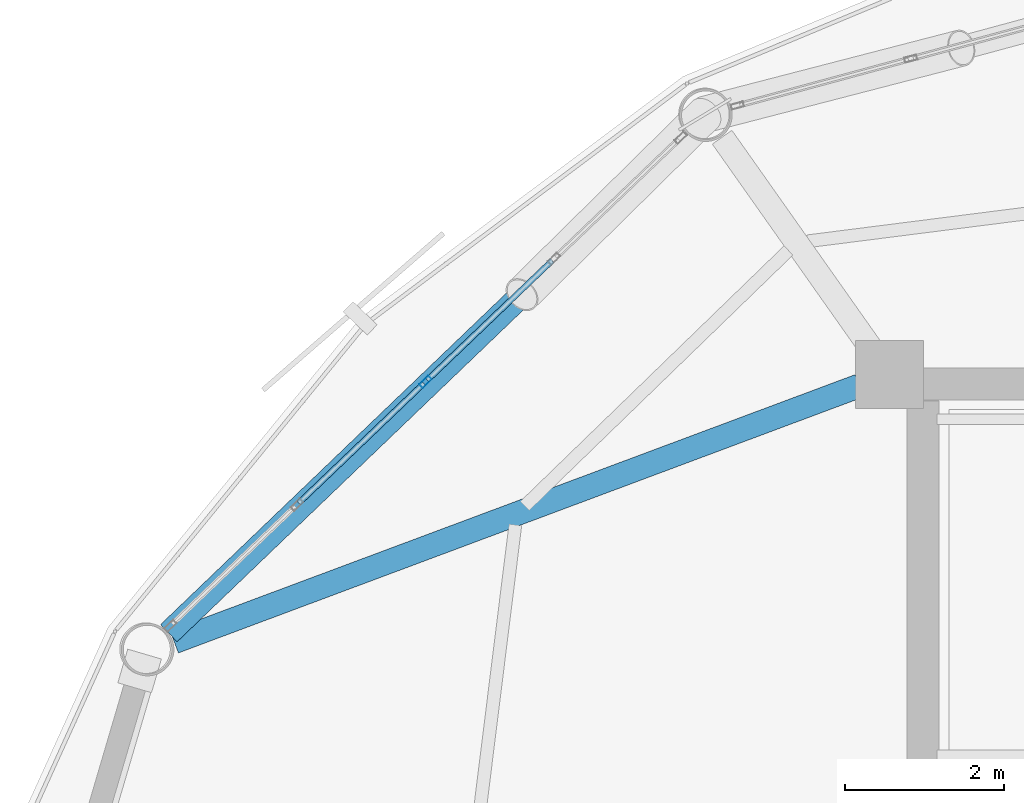
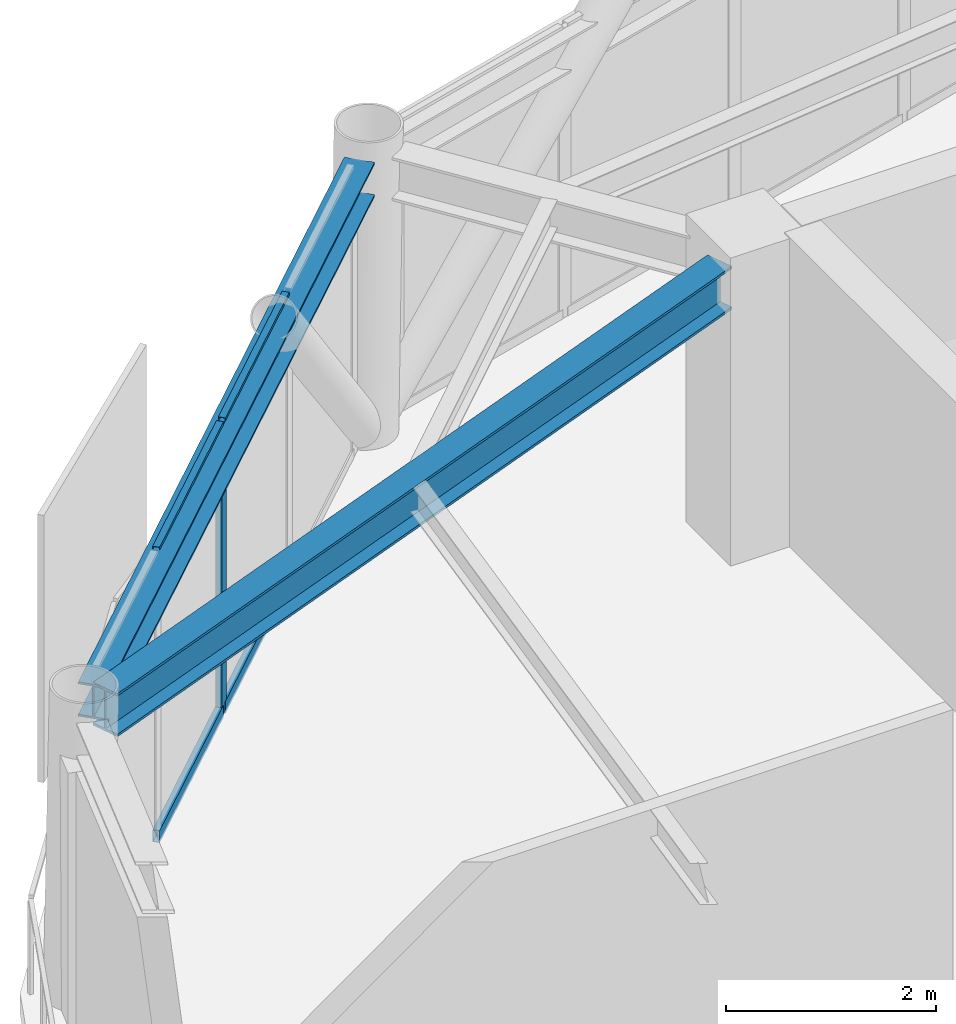
# One storey, part 13 of 28: 5 members, 2 beams, 1 element without a shape of its own.
"""IFC4 building model written with IfcOpenShell, lengths in metres."""

from ifc_helpers import new_model, si_unit, direction, frame, origin, origin_2d, place, context, subcontext, project, spatial, hollow_rectangle, i_section, extrude, material, layer, layer_set, material_profile, profile_set, type_object, element, aggregate, save


model = new_model("IFC4")

# Units and contexts
model_context = context("Model", 3, precision=1e-05, world=origin(), true_north=direction((0.0, 1.0)))
body_context = subcontext(model_context, "Body", "Model", "MODEL_VIEW")
ifc_project = project(units=[si_unit("LENGTHUNIT", "METRE"), si_unit("AREAUNIT", "SQUARE_METRE"), si_unit("VOLUMEUNIT", "CUBIC_METRE"), si_unit("PLANEANGLEUNIT", "RADIAN"), si_unit("MASSUNIT", "GRAM", prefix="KILO")], contexts=[model_context])

# Site, building, storey
site_placement = place(None, origin())
site = spatial("IfcSite", under=ifc_project, at=site_placement, CompositionType="ELEMENT")
building_placement = place(site_placement, origin())
building = spatial("IfcBuilding", under=site, at=building_placement, Name="Varnakorn Sky Granary", CompositionType="ELEMENT")
storey_placement = place(building_placement, frame((0.0, 0.0, 204.0)))
storey = spatial("IfcBuildingStorey", under=building, at=storey_placement, Name="L51", CompositionType="ELEMENT", Elevation=204.0)

# Beams
ifc_material_1 = material(Name="Steel S355JR", Category="steel")
ifc_material_profile_1 = material_profile(ifc_material_1, i_section(OverallWidth=0.300048828125, OverallDepth=0.5, WebThickness=0.014404296875, FlangeThickness=0.028076171875, at=origin_2d()), Name="HE 500 B")
ifc_profile_set_1 = profile_set([ifc_material_profile_1], Name="Steel S355JR")
beam_type_1 = type_object("IfcBeamType", Name="BM-RAD-Z4", PredefinedType="BEAM", material=ifc_profile_set_1)
beam_1_placement = place(storey_placement, frame((-2.79931640625, 12.478271484375, 3.110107421875), z_axis=(-0.936767727121, -0.349951747279, 0.0), x_axis=(0.349951747279, -0.936767727121, 0.0)))
element("IfcBeam", 1, at=beam_1_placement, inside=storey, type_object=beam_type_1, Name="Radial Floor Girder RG06 L51", PredefinedType="BEAM", context=body_context, shape_type="SweptSolid", body=[
    extrude(i_section(OverallWidth=0.300048828125, OverallDepth=0.5, WebThickness=0.014404296875, FlangeThickness=0.028076171875, at=origin_2d()), origin(), (0.0, 0.0, 1.0), 9.181640625),
])
ifc_material_profile_2 = material_profile(ifc_material_1, i_section(OverallWidth=0.300048828125, OverallDepth=0.39990234375, WebThickness=0.013427734375, FlangeThickness=0.02392578125, at=origin_2d()), Name="HE 400 B")
ifc_profile_set_2 = profile_set([ifc_material_profile_2], Name="Steel S355JR")
beam_type_2 = type_object("IfcBeamType", Name="BM-SPD-Z4", PredefinedType="SPANDREL", material=ifc_profile_set_2)
beam_2_placement = place(storey_placement, frame((-4.929931640625, 15.638916015625, 3.159912109375), z_axis=(-0.721976982037, -0.691917074084, 0.0), x_axis=(0.691917074084, -0.721976982037, 0.0)))
element("IfcBeam", 2, at=beam_2_placement, inside=storey, type_object=beam_type_2, Name="Perimeter Spandrel Ring Beam RB05 L51", PredefinedType="SPANDREL", context=body_context, shape_type="SweptSolid", body=[
    extrude(i_section(OverallWidth=0.300048828125, OverallDepth=0.39990234375, WebThickness=0.013427734375, FlangeThickness=0.02392578125, at=origin_2d()), origin(), (0.0, 0.0, 1.0), 9.055908203125),
])

# Curtain wall, members
ifc_material_2 = material(Name="Anodised Bronze Aluminium Alloy 6063-T6", Category="aluminium")
ifc_layer = layer(ifc_material_2, 0.169921875, Name="Anodised Bronze Aluminium Alloy 6063-T6")
ifc_layer_set = layer_set([ifc_layer], Name="Anodised Bronze Aluminium Alloy 6063-T6")
curtain_wall_type = type_object("IfcCurtainWallType", Name="CW-LAB-1", PredefinedType="USERDEFINED", material=ifc_layer_set)
curtain_wall_placement = place(storey_placement, origin())
curtain_wall = element("IfcCurtainWall", 3, at=curtain_wall_placement, inside=storey, type_object=curtain_wall_type, Name="Unitised Curtain Wall CW5 CW-L51-B05", ObjectType="CURTAIN WALL", PredefinedType="USERDEFINED")
ifc_material_profile_3 = material_profile(ifc_material_2, hollow_rectangle(XDim=0.06494140625, YDim=0.159912109375, WallThickness=0.00341796875, at=origin_2d()), Name="ALU MULL 65x160")
ifc_profile_set_3 = profile_set([ifc_material_profile_3], Name="Anodised Bronze Aluminium Alloy 6063-T6")
member_type_1 = type_object("IfcMemberType", Name="CW-LAB-1-MULL", PredefinedType="MULLION", material=ifc_profile_set_3)
member_1_placement = place(storey_placement, frame((-8.245361328125, 12.529296875, 0.0), z_axis=(0.0, 0.0, 1.0), x_axis=(-0.691317195735, 0.722551406393, 0.0)))
member_1 = element("IfcMember", 4, at=member_1_placement, type_object=member_type_1, Name="CW5 mullion 3", PredefinedType="MULLION", context=body_context, shape_type="SweptSolid", body=[
    extrude(hollow_rectangle(XDim=0.06494140625, YDim=0.159912109375, WallThickness=0.00341796875, at=origin_2d()), origin(), (0.0, 0.0, 1.0), 3.360107421875),
])
ifc_material_profile_4 = material_profile(ifc_material_2, hollow_rectangle(XDim=0.070068359375, YDim=0.139892578125, WallThickness=0.00341796875, at=origin_2d()), Name="ALU TRAN 70x140")
ifc_profile_set_4 = profile_set([ifc_material_profile_4], Name="Anodised Bronze Aluminium Alloy 6063-T6")
member_type_2 = type_object("IfcMemberType", Name="CW-LAB-1-TRAN", PredefinedType="USERDEFINED", material=ifc_profile_set_4)
member_2_placement = place(storey_placement, frame((-9.83544921875, 11.0078125, 0.034912109375), z_axis=(0.722529362601, 0.691340234747, 0.0), x_axis=(-0.691340234747, 0.722529362601, 0.0)))
member_2 = element("IfcMember", 5, at=member_2_placement, type_object=member_type_2, Name="CW5 transom 2.1", ObjectType="TRANSOM", PredefinedType="USERDEFINED", context=body_context, shape_type="SweptSolid", body=[
    extrude(hollow_rectangle(XDim=0.070068359375, YDim=0.139892578125, WallThickness=0.00341796875, at=origin_2d()), origin(), (0.0, 0.0, 1.0), 2.168212890625),
])
member_3_placement = place(storey_placement, frame((-9.83544921875, 11.0078125, 3.324951171875), z_axis=(0.722529362601, 0.691340234747, 0.0), x_axis=(-0.691340234747, 0.722529362601, 0.0)))
member_3 = element("IfcMember", 6, at=member_3_placement, type_object=member_type_2, Name="CW5 transom 2.2", ObjectType="TRANSOM", PredefinedType="USERDEFINED", context=body_context, shape_type="SweptSolid", body=[
    extrude(hollow_rectangle(XDim=0.070068359375, YDim=0.139892578125, WallThickness=0.00341796875, at=origin_2d()), origin(), (0.0, 0.0, 1.0), 2.168212890625),
])
member_4_placement = place(storey_placement, frame((-8.221923828125, 12.5517578125, 0.034912109375), z_axis=(0.722585607888, 0.691281447222, 0.0), x_axis=(-0.691281447222, 0.722585607888, 0.0)))
member_4 = element("IfcMember", 7, at=member_4_placement, type_object=member_type_2, Name="CW5 transom 3.1", ObjectType="TRANSOM", PredefinedType="USERDEFINED", context=body_context, shape_type="SweptSolid", body=[
    extrude(hollow_rectangle(XDim=0.070068359375, YDim=0.139892578125, WallThickness=0.00341796875, at=origin_2d()), origin(), (0.0, 0.0, 1.0), 2.168212890625),
])
member_5_placement = place(storey_placement, frame((-8.221923828125, 12.5517578125, 3.324951171875), z_axis=(0.722585607888, 0.691281447222, 0.0), x_axis=(-0.691281447222, 0.722585607888, 0.0)))
member_5 = element("IfcMember", 8, at=member_5_placement, type_object=member_type_2, Name="CW5 transom 3.2", ObjectType="TRANSOM", PredefinedType="USERDEFINED", context=body_context, shape_type="SweptSolid", body=[
    extrude(hollow_rectangle(XDim=0.070068359375, YDim=0.139892578125, WallThickness=0.00341796875, at=origin_2d()), origin(), (0.0, 0.0, 1.0), 2.168212890625),
])
aggregate(curtain_wall, [member_1, member_2, member_3, member_4, member_5])

save(model, "model.ifc")
